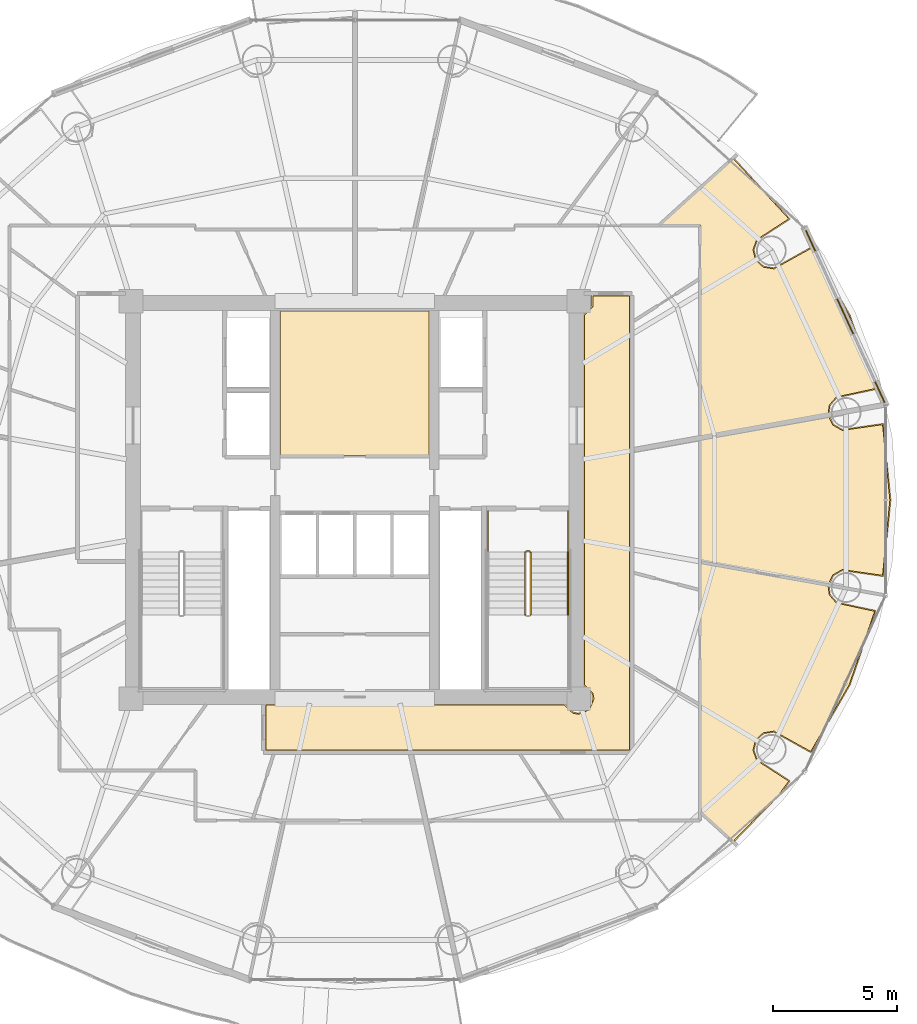
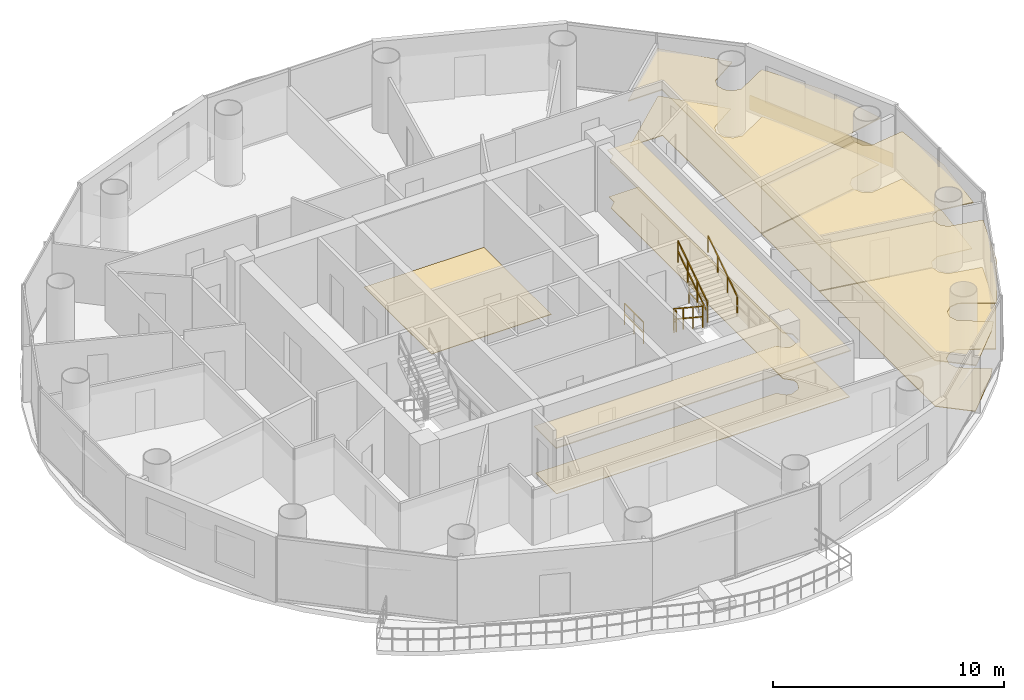
# One storey, part 26 of 27: 10 coverings, 6 railings.
"""IFC4 building model written with IfcOpenShell, lengths in metres."""

from ifc_helpers import new_model, si_unit, direction, frame, origin, origin_2d, place, context, subcontext, project, spatial, polyline, rectangle, outline, extrude, source, transform, mapped, material, layer, layer_set, type_object, element, save


model = new_model("IFC4")

# Units and contexts
model_context = context("Model", 3, precision=1e-05, world=origin(), true_north=direction((-0.2419218956, 0.970295726276)))
body_context = subcontext(model_context, "Body", "Model", "MODEL_VIEW")
ifc_project = project(units=[si_unit("LENGTHUNIT", "METRE"), si_unit("AREAUNIT", "SQUARE_METRE"), si_unit("VOLUMEUNIT", "CUBIC_METRE"), si_unit("PLANEANGLEUNIT", "RADIAN"), si_unit("MASSUNIT", "GRAM", prefix="KILO")], contexts=[model_context])

# Site, building, storey
site_placement = place(None, origin())
site = spatial("IfcSite", under=ifc_project, at=site_placement, CompositionType="ELEMENT")
building_placement = place(site_placement, origin())
building = spatial("IfcBuilding", under=site, at=building_placement, Name="Cobrevalo Terracotta Tower", CompositionType="ELEMENT")
storey_placement = place(building_placement, frame((0.0, 0.0, 198.60009765625)))
storey = spatial("IfcBuildingStorey", under=building, at=storey_placement, Name="L52", CompositionType="ELEMENT", Elevation=198.60009765625)

# Coverings
ifc_material_1 = material(Name="Engineered Brazilian hardwood flooring", Category="wood")
ifc_layer_1 = layer(ifc_material_1, 0.028076171875)
ifc_layer_set_1 = layer_set([ifc_layer_1], Name="Engineered Brazilian hardwood flooring")
covering_type_1 = type_object("IfcCoveringType", Name="Engineered Hardwood Suite Flooring 28", PredefinedType="FLOORING", material=ifc_layer_set_1)
covering_1_placement = place(storey_placement, origin())
element("IfcCovering", 1, at=covering_1_placement, inside=storey, type_object=covering_type_1, Name="Flat L52A Living and Dining Room floor finish", PredefinedType="FLOORING", context=body_context, shape_type="SweptSolid", body=[
    extrude(outline(polyline([(53.220947265625, 40.52783203125), (55.453125, 38.10888671875), (54.159912109375, 37.269287109375), (54.014892578125, 36.86474609375), (54.119140625, 36.447998046875), (54.437255859375, 36.1591796875), (54.8623046875, 36.095947265625), (56.337890625, 36.91357421875), (57.882080078125, 34.23095703125), (58.90771484375, 31.277099609375), (57.364013671875, 30.94482421875), (57.0849609375, 30.6181640625), (57.0302734375, 30.240966796875), (51.905029296875, 29.31982421875), (51.905029296875, 37.85498046875), (50.26318359375, 37.85498046875), (53.220947265625, 40.52783203125)])), origin(), (0.0, 0.0, 1.0), 0.02978515625),
])
covering_2_placement = place(storey_placement, origin())
element("IfcCovering", 2, at=covering_2_placement, inside=storey, type_object=covering_type_1, Name="Flat L52D Master Bedroom floor finish", PredefinedType="FLOORING", context=body_context, shape_type="SweptSolid", body=[
    extrude(outline(polyline([(51.905029296875, 14.261474609375), (51.905029296875, 24.2802734375), (57.0302734375, 23.35888671875), (57.0849609375, 22.981689453125), (57.364013671875, 22.655029296875), (58.90771484375, 22.322998046875), (57.882080078125, 19.368896484375), (56.337890625, 16.6865234375), (54.8623046875, 17.504150390625), (54.437255859375, 17.44091796875), (54.119140625, 17.152099609375), (54.014892578125, 16.735107421875), (54.159912109375, 16.330810546875), (55.453125, 15.4912109375), (55.073486328125, 14.978759765625), (53.220947265625, 13.072265625), (51.905029296875, 14.261474609375)])), origin(), (0.0, 0.0, 1.0), 0.02978515625),
])
covering_3_placement = place(storey_placement, origin())
element("IfcCovering", 3, at=covering_3_placement, inside=storey, type_object=covering_type_1, Name="Flat L52D Principal Guest Bedroom floor finish", PredefinedType="FLOORING", context=body_context, shape_type="SweptSolid", body=[
    extrude(outline(polyline([(57.03662109375, 30.20166015625), (57.229248046875, 29.80859375), (57.60400390625, 29.5986328125), (59.2265625, 29.83056640625), (59.52001953125, 26.800048828125), (59.2265625, 23.76953125), (57.60400390625, 24.00146484375), (57.229248046875, 23.791259765625), (57.03662109375, 23.3984375), (51.905029296875, 24.32080078125), (51.905029296875, 29.279052734375), (57.03662109375, 30.20166015625)])), origin(), (0.0, 0.0, 1.0), 0.02978515625),
])
ifc_material_2 = material(Name="Honed terracotta and granite tile", Category="masonry")
ifc_layer_2 = layer(ifc_material_2, 0.034912109375)
ifc_layer_set_2 = layer_set([ifc_layer_2], Name="Honed terracotta and granite tile")
covering_type_2 = type_object("IfcCoveringType", Name="Honed Terracotta & Granite Interior Flooring 35", PredefinedType="FLOORING", material=ifc_layer_set_2)
covering_4_placement = place(storey_placement, origin())
element("IfcCovering", 4, at=covering_4_placement, inside=storey, type_object=covering_type_2, Name="Floor Electrical Switchroom floor finish", PredefinedType="FLOORING", context=body_context, shape_type="SweptSolid", body=[
    extrude(outline(polyline([(35.010009765625, 34.405029296875), (40.989990234375, 34.405029296875), (40.989990234375, 28.580078125), (35.010009765625, 28.580078125), (35.010009765625, 34.405029296875)])), origin(), (0.0, 0.0, 1.0), 0.02978515625),
])
covering_5_placement = place(storey_placement, origin())
element("IfcCovering", 5, at=covering_5_placement, inside=storey, type_object=covering_type_2, Name="L52 Residential Floor Corridor 1 floor finish", PredefinedType="FLOORING", context=body_context, shape_type="SweptSolid", body=[
    extrude(outline(polyline([(34.419921875, 18.554931640625), (46.431884765625, 18.554931640625), (46.7626953125, 18.226806640625), (47.0, 18.1796875), (47.438720703125, 18.361328125), (47.620361328125, 18.800048828125), (47.5732421875, 19.037353515625), (47.2451171875, 19.3681640625), (47.2451171875, 34.23193359375), (47.5732421875, 34.5625), (47.57958984375, 35.0048828125), (49.054931640625, 35.0048828125), (49.054931640625, 16.7451171875), (34.419921875, 16.7451171875), (34.419921875, 18.554931640625)])), origin(), (0.0, 0.0, 1.0), 0.02978515625),
])
ifc_material_3 = material(Name="Acoustic perforated gypsum ceiling", Category="gypsum")
ifc_layer_3 = layer(ifc_material_3, 0.050048828125)
ifc_layer_set_3 = layer_set([ifc_layer_3], Name="Acoustic perforated gypsum ceiling")
covering_type_3 = type_object("IfcCoveringType", Name="Perforated Acoustic Gypsum Ceiling 50", PredefinedType="CEILING", material=ifc_layer_set_3)
covering_6_placement = place(storey_placement, frame((0.0, 0.0, 2.44482421875)))
element("IfcCovering", 6, at=covering_6_placement, inside=storey, type_object=covering_type_3, Name="L52 Residential Floor Corridor 1 acoustic ceiling", PredefinedType="CEILING", context=body_context, shape_type="SweptSolid", body=[
    extrude(outline(polyline([(34.375, 18.60009765625), (46.4560546875, 18.60009765625), (46.780029296875, 18.269287109375), (47.0, 18.2255859375), (47.40625, 18.393798828125), (47.53076171875, 18.580078125), (47.53076171875, 19.019775390625), (47.199951171875, 19.343994140625), (47.199951171875, 34.255859375), (47.53076171875, 34.580078125), (47.524658203125, 35.050048828125), (49.10009765625, 35.050048828125), (49.10009765625, 16.699951171875), (34.375, 16.699951171875), (34.375, 18.60009765625)])), origin(), (0.0, 0.0, 1.0), 0.050048828125),
])
covering_7_placement = place(storey_placement, frame((0.0, 0.0, 2.44482421875)))
element("IfcCovering", 7, at=covering_7_placement, inside=storey, type_object=covering_type_3, Name="Flat L52A Living and Dining Room acoustic ceiling", PredefinedType="CEILING", context=body_context, shape_type="SweptSolid", body=[
    extrude(outline(polyline([(53.22314453125, 40.59033203125), (55.518798828125, 38.095703125), (54.1962890625, 37.242431640625), (54.06005859375, 36.862548828125), (54.157958984375, 36.47119140625), (54.45654296875, 36.199951171875), (54.855712890625, 36.140625), (56.349853515625, 36.97314453125), (57.923095703125, 34.249755859375), (58.961669921875, 31.240966796875), (57.388427734375, 30.90673828125), (57.126220703125, 30.60009765625), (57.078369140625, 30.203857421875), (51.860107421875, 29.265869140625), (51.860107421875, 37.81005859375), (50.146484375, 37.81005859375), (53.22314453125, 40.59033203125)])), origin(), (0.0, 0.0, 1.0), 0.050048828125),
])
covering_8_placement = place(storey_placement, frame((0.0, 0.0, 2.44482421875)))
element("IfcCovering", 8, at=covering_8_placement, inside=storey, type_object=covering_type_3, Name="Flat L52D Master Bedroom acoustic ceiling", PredefinedType="CEILING", context=body_context, shape_type="SweptSolid", body=[
    extrude(outline(polyline([(51.860107421875, 14.241455078125), (51.860107421875, 24.333984375), (57.078369140625, 23.39599609375), (57.126220703125, 23.0), (57.388427734375, 22.693359375), (58.961669921875, 22.359130859375), (57.923095703125, 19.35009765625), (56.349853515625, 16.626953125), (54.855712890625, 17.45947265625), (54.45654296875, 17.39990234375), (54.157958984375, 17.12890625), (54.06005859375, 16.737548828125), (54.1962890625, 16.357666015625), (55.518798828125, 15.50439453125), (55.10791015625, 14.949462890625), (53.22314453125, 13.009765625), (51.860107421875, 14.241455078125)])), origin(), (0.0, 0.0, 1.0), 0.050048828125),
])
covering_9_placement = place(storey_placement, frame((0.0, 0.0, 2.44482421875)))
element("IfcCovering", 9, at=covering_9_placement, inside=storey, type_object=covering_type_3, Name="Flat L52D Principal Guest Bedroom acoustic ceiling", PredefinedType="CEILING", context=body_context, shape_type="SweptSolid", body=[
    extrude(outline(polyline([(57.0703125, 30.25341796875), (57.26171875, 29.83984375), (57.613525390625, 29.642578125), (59.26123046875, 29.88232421875), (59.565185546875, 26.800048828125), (59.26123046875, 23.717529296875), (57.613525390625, 23.957275390625), (57.26171875, 23.760009765625), (57.0703125, 23.3466796875), (51.860107421875, 24.283203125), (51.860107421875, 29.316650390625), (57.0703125, 30.25341796875)])), origin(), (0.0, 0.0, 1.0), 0.050048828125),
])

# Railings
ifc_material_4 = material(Name="Brushed stainless steel", Category="steel")
railing_type_1 = type_object("IfcRailingType", Name="Stainless Steel Stair Handrail 900", PredefinedType="HANDRAIL", material=ifc_material_4)
railing_1_placement = place(storey_placement, frame((46.574951171875, 22.179931640625, 2.034912109375)))
element("IfcRailing", 10, at=railing_1_placement, inside=storey, type_object=railing_type_1, Name="L52 ST-2 stair handrail 2", PredefinedType="HANDRAIL", context=body_context, shape_type="SweptSolid", body=[
    extrude(rectangle(XDim=0.048095703125, YDim=0.048095703125, at=origin_2d()), frame((0.0, 0.0, 0.8759765625), z_axis=(0.0, 0.834331337432, 0.55126329406), x_axis=(-1.0, 0.0, 0.0)), (0.0, 0.0, 1.0), 3.0205078125),
    extrude(rectangle(XDim=0.0419921875, YDim=0.0419921875, at=origin_2d()), origin(), (0.0, 0.0, 1.0), 0.851806640625),
    extrude(rectangle(XDim=0.0419921875, YDim=0.0419921875, at=origin_2d()), frame((0.0, 0.840087890625, 0.554931640625)), (0.0, 0.0, 1.0), 0.851806640625),
    extrude(rectangle(XDim=0.0419921875, YDim=0.0419921875, at=origin_2d()), frame((0.0, 1.679931640625, 1.110107421875)), (0.0, 0.0, 1.0), 0.851806640625),
    extrude(rectangle(XDim=0.0419921875, YDim=0.0419921875, at=origin_2d()), frame((0.0, 2.52001953125, 1.6650390625)), (0.0, 0.0, 1.0), 0.851806640625),
])
ifc_material_5 = material(Name="Painted galvanized steel", Category="steel")
railing_type_2 = type_object("IfcRailingType", Name="Stair Well Guard Balustrade 1150", PredefinedType="GUARDRAIL", material=ifc_material_5)
railing_2_placement = place(storey_placement, frame((44.85498046875, 24.699951171875, 0.184814453125)))
element("IfcRailing", 11, at=railing_2_placement, inside=storey, type_object=railing_type_2, Name="L52 ST-2 stair guard 1", PredefinedType="GUARDRAIL", context=body_context, shape_type="SweptSolid", body=[
    extrude(rectangle(XDim=0.048095703125, YDim=0.048095703125, at=origin_2d()), frame((0.0, 0.0, 1.1259765625), z_axis=(0.0, -0.834331337432, 0.55126329406), x_axis=(1.0, 0.0, 0.0)), (0.0, 0.0, 1.0), 3.0205078125),
    extrude(rectangle(XDim=0.048095703125, YDim=0.048095703125, at=origin_2d()), frame((0.0, 0.0, 0.574951171875), z_axis=(0.0, -0.834331337432, 0.55126329406), x_axis=(1.0, 0.0, 0.0)), (0.0, 0.0, 1.0), 3.0205078125),
    extrude(rectangle(XDim=0.0419921875, YDim=0.0419921875, at=origin_2d()), origin(), (0.0, 0.0, 1.0), 1.101806640625),
    extrude(rectangle(XDim=0.0419921875, YDim=0.0419921875, at=origin_2d()), frame((0.0, -0.840087890625, 0.554931640625)), (0.0, 0.0, 1.0), 1.101806640625),
    extrude(rectangle(XDim=0.0419921875, YDim=0.0419921875, at=origin_2d()), frame((0.0, -1.679931640625, 1.110107421875)), (0.0, 0.0, 1.0), 1.101806640625),
    extrude(rectangle(XDim=0.0419921875, YDim=0.0419921875, at=origin_2d()), frame((0.0, -2.52001953125, 1.6650390625)), (0.0, 0.0, 1.0), 1.101806640625),
])
railing_3_placement = place(storey_placement, frame((45.074951171875, 22.179931640625, 2.034912109375)))
element("IfcRailing", 12, at=railing_3_placement, inside=storey, type_object=railing_type_2, Name="L52 ST-2 stair guard 6", PredefinedType="GUARDRAIL", context=body_context, shape_type="SweptSolid", body=[
    extrude(rectangle(XDim=0.048095703125, YDim=0.048095703125, at=origin_2d()), frame((0.0, 0.0, 1.1259765625), z_axis=(0.0, 0.834331337432, 0.55126329406), x_axis=(-1.0, 0.0, 0.0)), (0.0, 0.0, 1.0), 3.0205078125),
    extrude(rectangle(XDim=0.048095703125, YDim=0.048095703125, at=origin_2d()), frame((0.0, 0.0, 0.574951171875), z_axis=(0.0, 0.834331337432, 0.55126329406), x_axis=(-1.0, 0.0, 0.0)), (0.0, 0.0, 1.0), 3.0205078125),
    extrude(rectangle(XDim=0.0419921875, YDim=0.0419921875, at=origin_2d()), origin(), (0.0, 0.0, 1.0), 1.101806640625),
    extrude(rectangle(XDim=0.0419921875, YDim=0.0419921875, at=origin_2d()), frame((0.0, 0.840087890625, 0.554931640625)), (0.0, 0.0, 1.0), 1.101806640625),
    extrude(rectangle(XDim=0.0419921875, YDim=0.0419921875, at=origin_2d()), frame((0.0, 1.679931640625, 1.110107421875)), (0.0, 0.0, 1.0), 1.101806640625),
    extrude(rectangle(XDim=0.0419921875, YDim=0.0419921875, at=origin_2d()), frame((0.0, 2.52001953125, 1.6650390625)), (0.0, 0.0, 1.0), 1.101806640625),
])
railing_4_placement = place(storey_placement, frame((44.905029296875, 24.75, 0.0)))
element("IfcRailing", 13, at=railing_4_placement, inside=storey, type_object=railing_type_2, Name="L52 ST-2 stair guard 7", PredefinedType="GUARDRAIL", context=body_context, shape_type="SweptSolid", body=[
    extrude(rectangle(XDim=0.048095703125, YDim=0.048095703125, at=origin_2d()), frame((0.0, 0.0, 1.1259765625), z_axis=(1.0, 0.0, 0.0), x_axis=(0.0, 1.0, 0.0)), (0.0, 0.0, 1.0), 0.119873046875),
    extrude(rectangle(XDim=0.048095703125, YDim=0.048095703125, at=origin_2d()), frame((0.0, 0.0, 0.574951171875), z_axis=(1.0, 0.0, 0.0), x_axis=(0.0, 1.0, 0.0)), (0.0, 0.0, 1.0), 0.119873046875),
    extrude(rectangle(XDim=0.0419921875, YDim=0.0419921875, at=origin_2d()), origin(), (0.0, 0.0, 1.0), 1.101806640625),
    extrude(rectangle(XDim=0.0419921875, YDim=0.0419921875, at=origin_2d()), frame((0.119873046875, 0.0, 0.0)), (0.0, 0.0, 1.0), 1.101806640625),
])
for number, where, name in (
    (14, (43.35498046875, 26.35009765625, 0.0), "L52 ST-2 stair guard 8"),
    (15, (46.574951171875, 26.35009765625, 0.0), "L52 ST-2 stair guard 9"),
):
    element("IfcRailing", number, at=place(storey_placement, frame(where)), inside=storey, type_object=railing_type_2, Name=name, PredefinedType="GUARDRAIL", context=body_context, shape_type="SweptSolid", body=[
        extrude(rectangle(XDim=0.048095703125, YDim=0.048095703125, at=origin_2d()), frame((0.0, 0.0, 1.1259765625), z_axis=(0.0, -1.0, 0.0), x_axis=(1.0, 0.0, 0.0)), (0.0, 0.0, 1.0), 1.650146484375),
        extrude(rectangle(XDim=0.048095703125, YDim=0.048095703125, at=origin_2d()), frame((0.0, 0.0, 0.574951171875), z_axis=(0.0, -1.0, 0.0), x_axis=(1.0, 0.0, 0.0)), (0.0, 0.0, 1.0), 1.650146484375),
        extrude(rectangle(XDim=0.0419921875, YDim=0.0419921875, at=origin_2d()), origin(), (0.0, 0.0, 1.0), 1.101806640625),
        extrude(rectangle(XDim=0.0419921875, YDim=0.0419921875, at=origin_2d()), frame((0.0, -0.8251953125, 0.0)), (0.0, 0.0, 1.0), 1.101806640625),
        extrude(rectangle(XDim=0.0419921875, YDim=0.0419921875, at=origin_2d()), frame((0.0, -1.650146484375, 0.0)), (0.0, 0.0, 1.0), 1.101806640625),
    ])

# Covering
ifc_material_6 = material(Name="Glazed terracotta facade cladding tile", Category="masonry")
ifc_layer_4 = layer(ifc_material_6, 0.044921875)
ifc_layer_set_4 = layer_set([ifc_layer_4], Name="Glazed terracotta facade cladding tile")
covering_type_4 = type_object("IfcCoveringType", Name="Architectural terracotta rainscreen spandrel cladding 45 mm", PredefinedType="CLADDING", material=ifc_layer_set_4)
shared_shape = source(origin(), body_context, "Body", "SweptSolid", [
    extrude(rectangle(XDim=7.60009765625, YDim=0.044921875, at=origin_2d()), origin(), (0.0, 0.0, 1.0), 0.760009765625),
])
covering_10_placement = place(storey_placement, frame((57.726318359375, 34.182861328125, 0.0400390625), z_axis=(0.0, 0.0, 1.0), x_axis=(-0.416731425355, 0.909029657999, 0.0)))
element("IfcCovering", 16, at=covering_10_placement, inside=storey, type_object=covering_type_4, Name="L52 terracotta spandrel cladding S01", PredefinedType="CLADDING", context=body_context, shape_type="MappedRepresentation", body=[
    mapped(shared_shape, transform((0.0, 0.0, 0.0), scale=1.0)),
])

save(model, "model.ifc")
